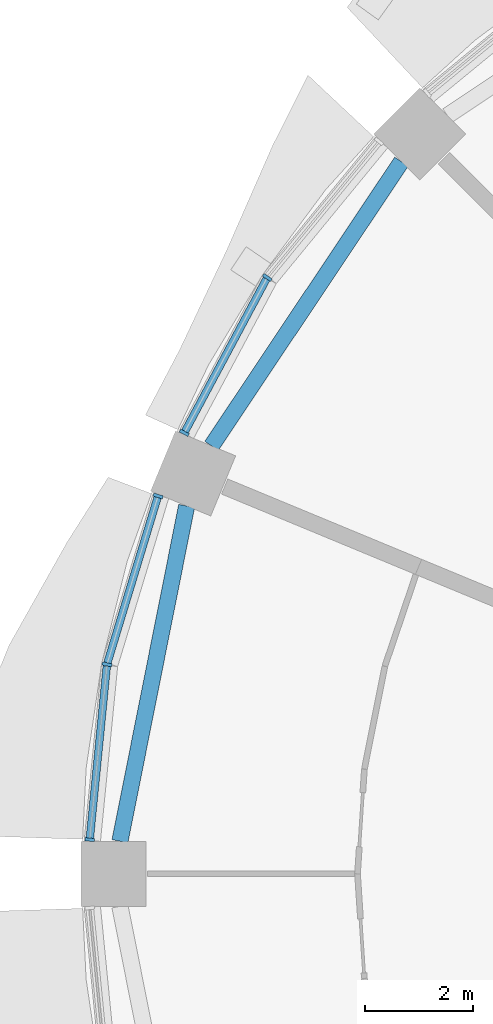
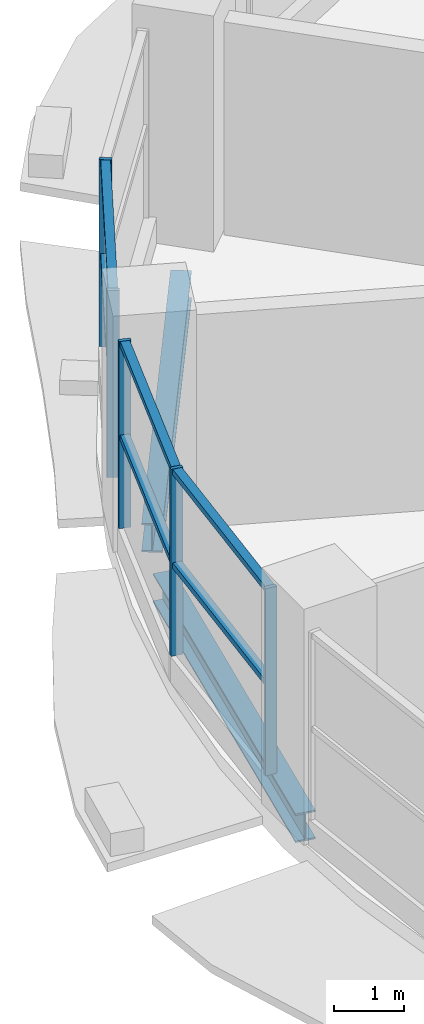
# One storey, part 3 of 14: 11 members, 2 beams, 2 elements without a shape of their own.
"""IFC4 building model written with IfcOpenShell, lengths in metres."""

from ifc_helpers import new_model, si_unit, direction, frame, origin, origin_2d, place, context, subcontext, project, spatial, rectangle, i_section, extrude, material, material_profile, profile_set, type_object, element, aggregate, save


model = new_model("IFC4")

# Units and contexts
model_context = context("Model", 3, precision=1e-05, world=origin(), true_north=direction((0.0, 1.0)))
body_context = subcontext(model_context, "Body", "Model", "MODEL_VIEW")
ifc_project = project(units=[si_unit("LENGTHUNIT", "METRE"), si_unit("AREAUNIT", "SQUARE_METRE"), si_unit("VOLUMEUNIT", "CUBIC_METRE"), si_unit("PLANEANGLEUNIT", "RADIAN"), si_unit("MASSUNIT", "GRAM", prefix="KILO")], contexts=[model_context])

# Site, building, storey
site_placement = place(None, origin())
site = spatial("IfcSite", under=ifc_project, at=site_placement, CompositionType="ELEMENT")
building_placement = place(site_placement, origin())
building = spatial("IfcBuilding", under=site, at=building_placement, Name="Polderwave Tower", CompositionType="ELEMENT")
storey_placement = place(building_placement, frame((0.0, 0.0, 14.39990234375)))
storey = spatial("IfcBuildingStorey", under=building, at=storey_placement, Name="L03", CompositionType="ELEMENT", Elevation=14.39990234375)

# Beams
ifc_material_1 = material(Name="Steel S355", Category="steel")
ifc_material_profile_1 = material_profile(ifc_material_1, i_section(OverallWidth=0.300048828125, OverallDepth=0.5, WebThickness=0.014404296875, FlangeThickness=0.028076171875, at=origin_2d()), Name="HE 500 B")
ifc_profile_set_1 = profile_set([ifc_material_profile_1], Name="Steel S355")
beam_type = type_object("IfcBeamType", Name="RING BEAM HE 500 B", PredefinedType="BEAM", material=ifc_profile_set_1)
for number, where, z_axis, x_axis, name in (
    (1, (-13.97998046875, 13.13134765625, -0.64990234375), (-0.555566948836, -0.831471806715, 0.0), (0.831471806715, -0.555566948836, 0.0), "ST-RB-L03-06"),
    (2, (-17.94091796875, 6.781982421875, -0.64990234375), (-0.195102988285, -0.980782760841, 0.0), (0.980782760841, -0.195102988285, 0.0), "ST-RB-L03-07"),
):
    element("IfcBeam", number, at=place(storey_placement, frame(where, z_axis=z_axis, x_axis=x_axis)), inside=storey, type_object=beam_type, Name=name, PredefinedType="BEAM", context=body_context, shape_type="SweptSolid", body=[
        extrude(i_section(OverallWidth=0.300048828125, OverallDepth=0.5, WebThickness=0.014404296875, FlangeThickness=0.028076171875, at=origin_2d()), origin(), (0.0, 0.0, 1.0), 6.302978515625),
    ])

# Curtain wall, members
ifc_material_2 = material(Name="Aluminium 6063-T6 and glass", Category="aluminium")
curtain_wall_type = type_object("IfcCurtainWallType", Name="Shopfront glazing wall", PredefinedType="NOTDEFINED", material=ifc_material_2)
curtain_wall_1_placement = place(storey_placement, origin())
curtain_wall_1 = element("IfcCurtainWall", 3, at=curtain_wall_1_placement, inside=storey, type_object=curtain_wall_type, Name="CW1 L03 06", PredefinedType="NOTDEFINED")
ifc_material_3 = material(Name="Aluminium 6063-T6", Category="aluminium")
ifc_material_profile_2 = material_profile(ifc_material_3, rectangle(XDim=0.179931640625, YDim=0.06005859375, at=origin_2d()), Name="AL 60x180")
ifc_profile_set_2 = profile_set([ifc_material_profile_2], Name="Aluminium 6063-T6")
member_type_1 = type_object("IfcMemberType", Name="Shopfront glazing mullion 60x180", PredefinedType="MULLION", material=ifc_profile_set_2)
member_1_placement = place(storey_placement, frame((-16.455078125, 10.9951171875, 0.4501953125), z_axis=(0.0, 0.0, 1.0), x_axis=(0.831510335494, -0.555509281621, 0.0)))
member_1 = element("IfcMember", 4, at=member_1_placement, type_object=member_type_1, Name="CW1 mullion 2", PredefinedType="MULLION", context=body_context, shape_type="SweptSolid", body=[
    extrude(rectangle(XDim=0.179931640625, YDim=0.06005859375, at=origin_2d()), origin(), (0.0, 0.0, 1.0), 3.25),
])
member_2_placement = place(storey_placement, frame((-17.98486328125, 8.131591796875, 0.4501953125), z_axis=(0.0, 0.0, 1.0), x_axis=(0.882015039538, -0.471221253797, 0.0)))
member_2 = element("IfcMember", 5, at=member_2_placement, type_object=member_type_1, Name="CW1 mullion 3", PredefinedType="MULLION", context=body_context, shape_type="SweptSolid", body=[
    extrude(rectangle(XDim=0.179931640625, YDim=0.06005859375, at=origin_2d()), origin(), (0.0, 0.0, 1.0), 3.25),
])

curtain_wall_2_placement = place(storey_placement, origin())
curtain_wall_2 = element("IfcCurtainWall", 6, at=curtain_wall_2_placement, inside=storey, type_object=curtain_wall_type, Name="CW1 L03 07", PredefinedType="NOTDEFINED")
member_3_placement = place(storey_placement, frame((-18.4677734375, 6.96728515625, 0.4501953125), z_axis=(0.0, 0.0, 1.0), x_axis=(0.956939829088, -0.29028634743, 0.0)))
member_3 = element("IfcMember", 7, at=member_3_placement, type_object=member_type_1, Name="CW1 mullion 1", PredefinedType="MULLION", context=body_context, shape_type="SweptSolid", body=[
    extrude(rectangle(XDim=0.179931640625, YDim=0.06005859375, at=origin_2d()), origin(), (0.0, 0.0, 1.0), 3.25),
])
member_4_placement = place(storey_placement, frame((-19.409912109375, 3.861083984375, 0.4501953125), z_axis=(0.0, 0.0, 1.0), x_axis=(0.98079038752, -0.195064645051, 0.0)))
member_4 = element("IfcMember", 8, at=member_4_placement, type_object=member_type_1, Name="CW1 mullion 2", PredefinedType="MULLION", context=body_context, shape_type="SweptSolid", body=[
    extrude(rectangle(XDim=0.179931640625, YDim=0.06005859375, at=origin_2d()), origin(), (0.0, 0.0, 1.0), 3.25),
])
member_5_placement = place(storey_placement, frame((-19.72802734375, 0.6298828125, 0.4501953125), z_axis=(0.0, 0.0, 1.0), x_axis=(0.995190028453, -0.097963295511, 0.0)))
member_5 = element("IfcMember", 9, at=member_5_placement, type_object=member_type_1, Name="CW1 mullion 3", PredefinedType="MULLION", context=body_context, shape_type="SweptSolid", body=[
    extrude(rectangle(XDim=0.179931640625, YDim=0.06005859375, at=origin_2d()), origin(), (0.0, 0.0, 1.0), 3.25),
])

# Member
ifc_material_profile_3 = material_profile(ifc_material_3, rectangle(XDim=0.139892578125, YDim=0.10009765625, at=origin_2d()), Name="AL 100x140")
ifc_profile_set_3 = profile_set([ifc_material_profile_3], Name="Aluminium 6063-T6")
member_type_2 = type_object("IfcMemberType", Name="Shopfront glazing transom 100x140", PredefinedType="USERDEFINED", material=ifc_profile_set_3)
member_6_placement = place(storey_placement, frame((-16.468994140625, 10.968505859375, 2.025146484375), z_axis=(-0.471260138764, -0.881994263934, 0.0), x_axis=(0.881994263934, -0.471260138764, 0.0)))
member_6 = element("IfcMember", 10, at=member_6_placement, type_object=member_type_2, Name="CW1 transom 3", ObjectType="TRANSOM", PredefinedType="USERDEFINED", context=body_context, shape_type="SweptSolid", body=[
    extrude(rectangle(XDim=0.139892578125, YDim=0.10009765625, at=origin_2d()), origin(), (0.0, 0.0, 1.0), 3.1865234375),
])

member_7_placement = place(storey_placement, frame((-16.468994140625, 10.968505859375, 3.650146484375), z_axis=(-0.471260138764, -0.881994263934, 0.0), x_axis=(0.881994263934, -0.471260138764, 0.0)))
member_7 = element("IfcMember", 11, at=member_7_placement, type_object=member_type_2, Name="CW1 transom 4", ObjectType="TRANSOM", PredefinedType="USERDEFINED", context=body_context, shape_type="SweptSolid", body=[
    extrude(rectangle(XDim=0.139892578125, YDim=0.10009765625, at=origin_2d()), origin(), (0.0, 0.0, 1.0), 3.1865234375),
])

aggregate(curtain_wall_1, [member_1, member_2, member_6, member_7])

member_8_placement = place(storey_placement, frame((-18.476318359375, 6.938720703125, 2.025146484375), z_axis=(-0.29031998901, -0.956929623317, 0.0), x_axis=(0.956929623317, -0.29031998901, 0.0)))
member_8 = element("IfcMember", 12, at=member_8_placement, type_object=member_type_2, Name="CW1 transom 1", ObjectType="TRANSOM", PredefinedType="USERDEFINED", context=body_context, shape_type="SweptSolid", body=[
    extrude(rectangle(XDim=0.139892578125, YDim=0.10009765625, at=origin_2d()), origin(), (0.0, 0.0, 1.0), 3.186279296875),
])

member_9_placement = place(storey_placement, frame((-18.476318359375, 6.938720703125, 3.650146484375), z_axis=(-0.29031998901, -0.956929623317, 0.0), x_axis=(0.956929623317, -0.29031998901, 0.0)))
member_9 = element("IfcMember", 13, at=member_9_placement, type_object=member_type_2, Name="CW1 transom 2", ObjectType="TRANSOM", PredefinedType="USERDEFINED", context=body_context, shape_type="SweptSolid", body=[
    extrude(rectangle(XDim=0.139892578125, YDim=0.10009765625, at=origin_2d()), origin(), (0.0, 0.0, 1.0), 3.186279296875),
])

member_10_placement = place(storey_placement, frame((-19.412841796875, 3.8310546875, 2.025146484375), z_axis=(-0.097986537327, -0.99518774033, 0.0), x_axis=(0.99518774033, -0.097986537327, 0.0)))
member_10 = element("IfcMember", 14, at=member_10_placement, type_object=member_type_2, Name="CW1 transom 3", ObjectType="TRANSOM", PredefinedType="USERDEFINED", context=body_context, shape_type="SweptSolid", body=[
    extrude(rectangle(XDim=0.139892578125, YDim=0.10009765625, at=origin_2d()), origin(), (0.0, 0.0, 1.0), 3.186767578125),
])

member_11_placement = place(storey_placement, frame((-19.412841796875, 3.8310546875, 3.650146484375), z_axis=(-0.097986537327, -0.99518774033, 0.0), x_axis=(0.99518774033, -0.097986537327, 0.0)))
member_11 = element("IfcMember", 15, at=member_11_placement, type_object=member_type_2, Name="CW1 transom 4", ObjectType="TRANSOM", PredefinedType="USERDEFINED", context=body_context, shape_type="SweptSolid", body=[
    extrude(rectangle(XDim=0.139892578125, YDim=0.10009765625, at=origin_2d()), origin(), (0.0, 0.0, 1.0), 3.186767578125),
])

aggregate(curtain_wall_2, [member_3, member_4, member_5, member_8, member_9, member_10, member_11])

save(model, "model.ifc")
